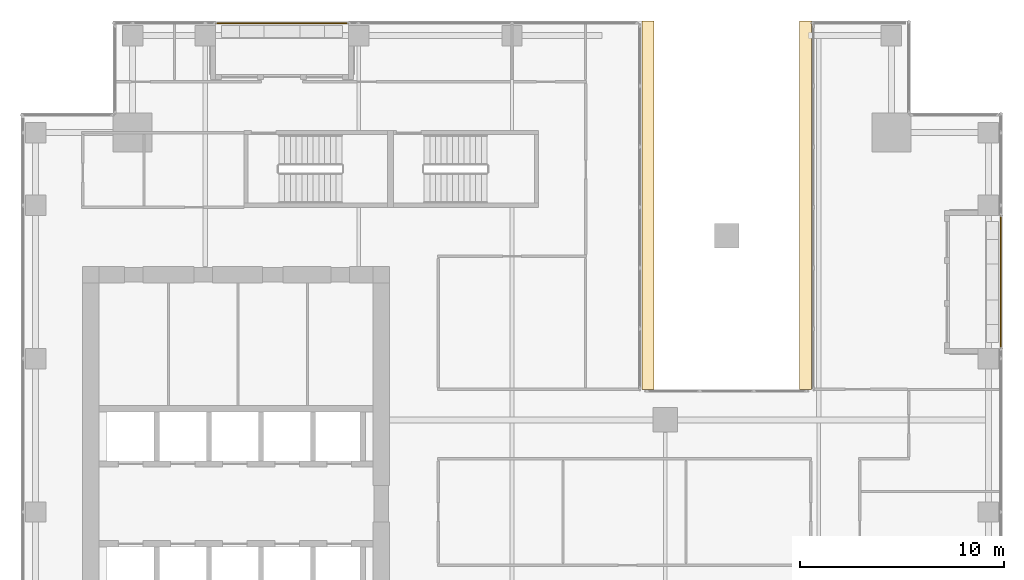
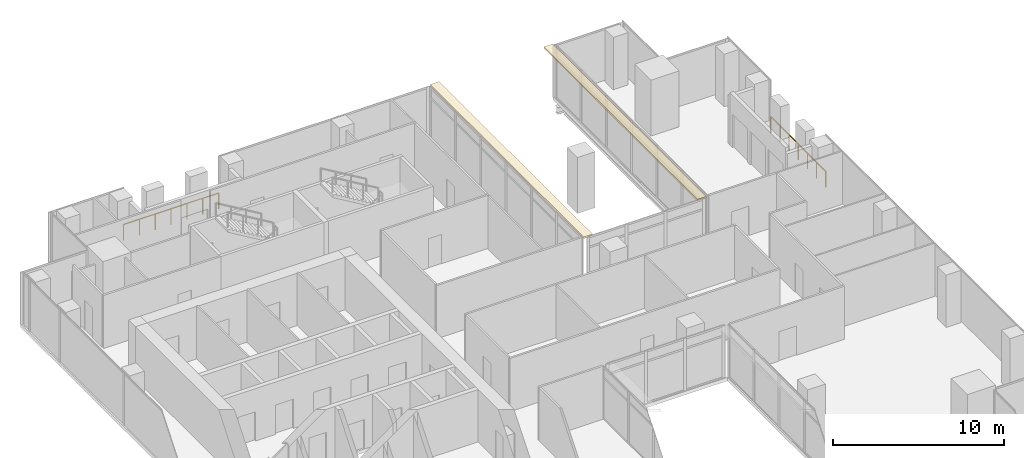
# One storey, part 39 of 40: 2 coverings, 2 railings.
"""IFC4 building model written with IfcOpenShell, lengths in metres."""

from ifc_helpers import new_model, si_unit, direction, frame, origin, origin_2d, place, context, subcontext, project, spatial, polyline, circle, outline, extrude, source, transform, mapped, material, layer, layer_set, type_object, element, save


model = new_model("IFC4")

# Units and contexts
model_context = context("Model", 3, precision=1e-05, world=origin(), true_north=direction((0.0, 1.0)))
body_context = subcontext(model_context, "Body", "Model", "MODEL_VIEW")
ifc_project = project(units=[si_unit("LENGTHUNIT", "METRE"), si_unit("AREAUNIT", "SQUARE_METRE"), si_unit("VOLUMEUNIT", "CUBIC_METRE"), si_unit("PLANEANGLEUNIT", "RADIAN"), si_unit("MASSUNIT", "GRAM", prefix="KILO")], contexts=[model_context])

# Site, building, storey
site_placement = place(None, origin())
site = spatial("IfcSite", under=ifc_project, at=site_placement, CompositionType="ELEMENT")
building_placement = place(site_placement, origin())
building = spatial("IfcBuilding", under=site, at=building_placement, Name="Khomas Fold Tower", CompositionType="ELEMENT")
storey_placement = place(building_placement, frame((0.0, 0.0, 180.699951171875)))
storey = spatial("IfcBuildingStorey", under=building, at=storey_placement, Name="L39", CompositionType="ELEMENT", Elevation=180.699951171875)

# Railings
ifc_material_1 = material(Name="Powder-coated steel", Category="steel")
railing_type = type_object("IfcRailingType", Name="Balcony guard", PredefinedType="GUARDRAIL", material=ifc_material_1)
shared_shape_1 = source(origin(), body_context, "Body", "SweptSolid", [
    extrude(circle(Radius=0.02490234375, at=origin_2d()), frame((0.0, 0.0, 1.125), z_axis=(1.0, 0.0, 0.0), x_axis=(0.0, 1.0, 0.0)), (0.0, 0.0, 1.0), 6.43994140625),
    extrude(circle(Radius=0.02001953125, at=origin_2d()), origin(), (0.0, 0.0, 1.0), 1.099853515625),
    extrude(circle(Radius=0.02001953125, at=origin_2d()), frame((1.0732421875, 0.0, 0.0)), (0.0, 0.0, 1.0), 1.099853515625),
    extrude(circle(Radius=0.02001953125, at=origin_2d()), frame((2.146728515625, 0.0, 0.0)), (0.0, 0.0, 1.0), 1.099853515625),
    extrude(circle(Radius=0.02001953125, at=origin_2d()), frame((3.219970703125, 0.0, 0.0)), (0.0, 0.0, 1.0), 1.099853515625),
    extrude(circle(Radius=0.02001953125, at=origin_2d()), frame((4.293212890625, 0.0, 0.0)), (0.0, 0.0, 1.0), 1.099853515625),
    extrude(circle(Radius=0.02001953125, at=origin_2d()), frame((5.36669921875, 0.0, 0.0)), (0.0, 0.0, 1.0), 1.099853515625),
    extrude(circle(Radius=0.02001953125, at=origin_2d()), frame((6.43994140625, 0.0, 0.0)), (0.0, 0.0, 1.0), 1.099853515625),
])
railing_1_placement = place(storey_placement, frame((12.530029296875, 50.89990234375, -0.044921875)))
element("IfcRailing", 1, at=railing_1_placement, inside=storey, type_object=railing_type, Name="Balcony guard BAL-L39-N1", PredefinedType="GUARDRAIL", context=body_context, shape_type="MappedRepresentation", body=[
    mapped(shared_shape_1, transform((0.0, 0.0, 0.0))),
])
shared_shape_2 = source(origin(), body_context, "Body", "SweptSolid", [
    extrude(circle(Radius=0.02490234375, at=origin_2d()), frame((0.0, 0.0, 1.125), z_axis=(0.0, 1.0, 0.0), x_axis=(-1.0, 0.0, 0.0)), (0.0, 0.0, 1.0), 6.43994140625),
    extrude(circle(Radius=0.02001953125, at=origin_2d()), origin(), (0.0, 0.0, 1.0), 1.099853515625),
    extrude(circle(Radius=0.02001953125, at=origin_2d()), frame((0.0, 1.0732421875, 0.0)), (0.0, 0.0, 1.0), 1.099853515625),
    extrude(circle(Radius=0.02001953125, at=origin_2d()), frame((0.0, 2.146728515625, 0.0)), (0.0, 0.0, 1.0), 1.099853515625),
    extrude(circle(Radius=0.02001953125, at=origin_2d()), frame((0.0, 3.219970703125, 0.0)), (0.0, 0.0, 1.0), 1.099853515625),
    extrude(circle(Radius=0.02001953125, at=origin_2d()), frame((0.0, 4.293212890625, 0.0)), (0.0, 0.0, 1.0), 1.099853515625),
    extrude(circle(Radius=0.02001953125, at=origin_2d()), frame((0.0, 5.36669921875, 0.0)), (0.0, 0.0, 1.0), 1.099853515625),
    extrude(circle(Radius=0.02001953125, at=origin_2d()), frame((0.0, 6.43994140625, 0.0)), (0.0, 0.0, 1.0), 1.099853515625),
])
railing_2_placement = place(storey_placement, frame((50.89990234375, 35.030029296875, -0.044921875)))
element("IfcRailing", 2, at=railing_2_placement, inside=storey, type_object=railing_type, Name="Balcony guard BAL-L39-E4", PredefinedType="GUARDRAIL", context=body_context, shape_type="MappedRepresentation", body=[
    mapped(shared_shape_2, transform((0.0, 0.0, 0.0))),
])

# Coverings
ifc_material_2 = material(Name="Natural stone cladding", Category="masonry")
ifc_layer = layer(ifc_material_2, 0.1201171875)
ifc_layer_set = layer_set([ifc_layer], Name="Natural stone cladding")
covering_type = type_object("IfcCoveringType", Name="Notch soffit stone GN-SF", PredefinedType="CLADDING", material=ifc_layer_set)
shared_shape_3 = source(origin(), body_context, "Body", "SweptSolid", [
    extrude(outline(polyline([(41.050048828125, 51.0), (41.050048828125, 33.0), (41.64990234375, 33.0), (41.64990234375, 51.0), (41.050048828125, 51.0)])), origin(), (0.0, 0.0, 1.0), 0.119873046875),
])
covering_1_placement = place(storey_placement, frame((0.0, 0.0, 3.630126953125)))
element("IfcCovering", 3, at=covering_1_placement, inside=storey, type_object=covering_type, Name="Notch soffit stone", PredefinedType="CLADDING", context=body_context, shape_type="MappedRepresentation", body=[
    mapped(shared_shape_3, transform((0.0, 0.0, 0.0))),
])
shared_shape_4 = source(origin(), body_context, "Body", "SweptSolid", [
    extrude(outline(polyline([(33.949951171875, 33.0), (33.949951171875, 51.0), (33.35009765625, 51.0), (33.35009765625, 33.0), (33.949951171875, 33.0)])), origin(), (0.0, 0.0, 1.0), 0.119873046875),
])
covering_2_placement = place(storey_placement, frame((0.0, 0.0, 3.630126953125)))
element("IfcCovering", 4, at=covering_2_placement, inside=storey, type_object=covering_type, Name="Notch soffit stone", PredefinedType="CLADDING", context=body_context, shape_type="MappedRepresentation", body=[
    mapped(shared_shape_4, transform((0.0, 0.0, 0.0))),
])

save(model, "model.ifc")
